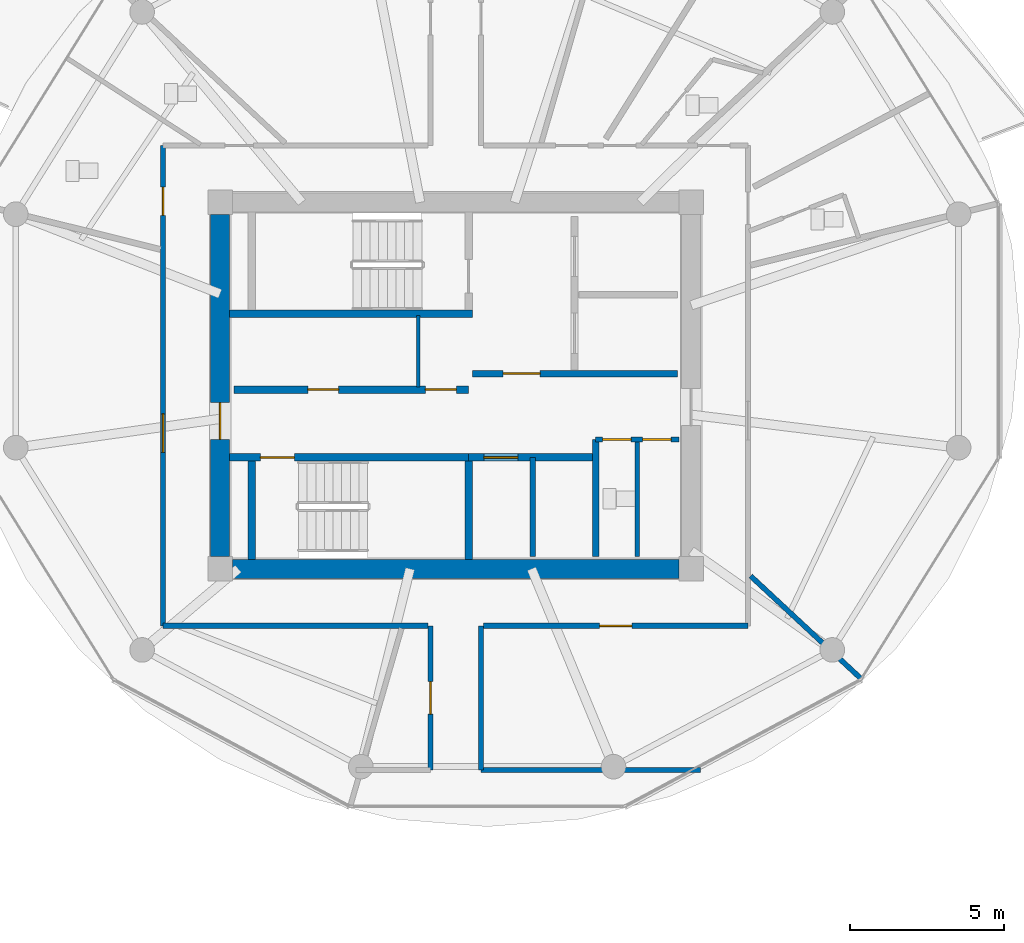
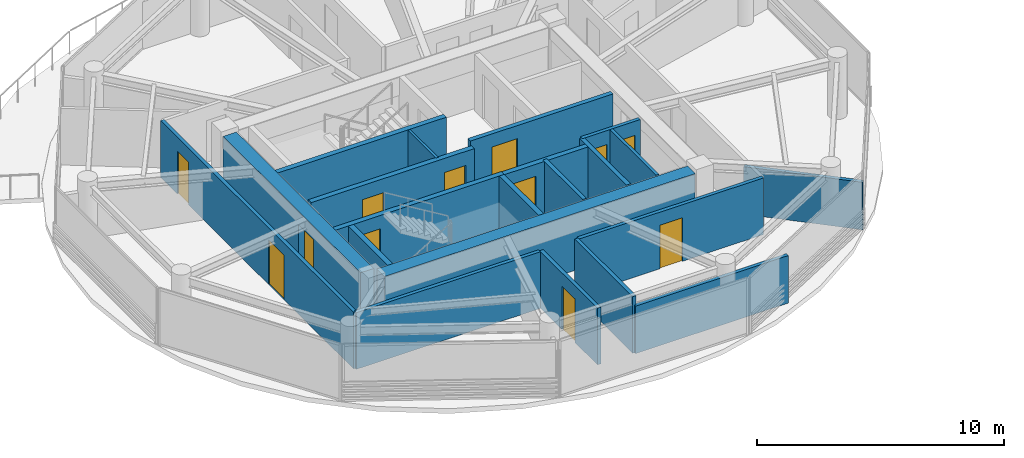
# One storey, part 12 of 21: 21 walls, 12 doors, 12 openings.
"""IFC4 building model written with IfcOpenShell, lengths in metres."""

import ifcopenshell
import ifcopenshell.guid

model = None  # the IFC model being written
_history = None  # IfcOwnerHistory: only IFC2X3 demands one
_inside = {}  # id of a spatial element -> (the spatial element, [elements in it])
_under = {}  # id of a project, library or spatial element -> (it, [spatial elements below it])
_declared = {}  # id of a project -> (the project, [libraries it declares])
_typed = {}  # id of a type object -> (the type object, [elements of that type])
_made_of = {}  # id of a material, layer set ... -> (it, [elements and type objects made of it])


def new_model(schema):
    """Start an empty IFC model of exactly this schema.

    Asked for "IFC4X3", IfcOpenShell would pick the latest addendum, in which some entities
    have other attributes; the version numbers below select the first issue.
    IFC2X3 requires an IfcOwnerHistory on every rooted entity: one is made here for all.
    """
    global model, _history
    if schema == "IFC4X3":
        model = ifcopenshell.file(schema_version=(4, 3, 0, 0))
    else:
        model = ifcopenshell.file(schema=schema)
    _inside.clear()
    _under.clear()
    _declared.clear()
    _typed.clear()
    _made_of.clear()
    _history = None
    if model.schema == "IFC2X3":
        org = make("IfcOrganization", Name="unknown")
        user = make(
            "IfcPersonAndOrganization",
            ThePerson=make("IfcPerson", FamilyName="unknown"),
            TheOrganization=org,
        )
        app = make(
            "IfcApplication",
            ApplicationDeveloper=org,
            Version="unknown",
            ApplicationFullName="unknown",
            ApplicationIdentifier="unknown",
        )
        _history = make(
            "IfcOwnerHistory",
            OwningUser=user,
            OwningApplication=app,
            ChangeAction="ADDED",
            CreationDate=0,
        )
    return model


def make(cls, **values):
    """One entity of the class cls with the attributes given. An attribute that is None is left unset."""
    return model.create_entity(
        cls, **{name: value for name, value in values.items() if value is not None}
    )


def rooted(cls, **values):
    """An entity with a GlobalId (a new one), such as an element, a storey or a relation."""
    return make(cls, GlobalId=ifcopenshell.guid.new(), OwnerHistory=_history, **values)


def si_unit(unit_type, name, prefix=None):
    """IfcSIUnit, for example si_unit("LENGTHUNIT", "METRE", prefix="MILLI")."""
    return make("IfcSIUnit", UnitType=unit_type, Prefix=prefix, Name=name)


def assignment(units):
    """IfcUnitAssignment: the units of a project."""
    return None if units is None else make("IfcUnitAssignment", Units=units)


def point(xyz):
    """IfcCartesianPoint."""
    return None if xyz is None else make("IfcCartesianPoint", Coordinates=xyz)


def direction(xyz):
    """IfcDirection."""
    return None if xyz is None else make("IfcDirection", DirectionRatios=xyz)


def frame(location, z_axis=None, x_axis=None):
    """IfcAxis2Placement3D, a coordinate frame: its origin and axes. An axis left out is left unset."""
    return make(
        "IfcAxis2Placement3D",
        Location=point(location),
        Axis=direction(z_axis),
        RefDirection=direction(x_axis),
    )


def frame_2d(location, x_axis=None):
    """IfcAxis2Placement2D, a coordinate frame in the plane: its origin and x axis."""
    return make(
        "IfcAxis2Placement2D", Location=point(location), RefDirection=direction(x_axis)
    )


def origin():
    """The frame at (0, 0, 0) with its axes left unset."""
    return frame((0.0, 0.0, 0.0))


def place(relative_to, where):
    """IfcLocalPlacement: puts the frame where relative to a parent placement (None: the world)."""
    return make(
        "IfcLocalPlacement", PlacementRelTo=relative_to, RelativePlacement=where
    )


def context(
    kind, dimensions, precision=None, world=None, true_north=None, identifier=None
):
    """IfcGeometricRepresentationContext, for example the 3D "Model" context."""
    return make(
        "IfcGeometricRepresentationContext",
        ContextIdentifier=identifier,
        ContextType=kind,
        CoordinateSpaceDimension=dimensions,
        Precision=precision,
        WorldCoordinateSystem=world,
        TrueNorth=true_north,
    )


def subcontext(parent, identifier, kind, view, scale=None):
    """IfcGeometricRepresentationSubContext, for example "Body" below "Model"."""
    return make(
        "IfcGeometricRepresentationSubContext",
        ContextIdentifier=identifier,
        ContextType=kind,
        ParentContext=parent,
        TargetScale=scale,
        TargetView=view,
    )


def project(units=None, contexts=None):
    """IfcProject with its units and contexts."""
    return rooted(
        "IfcProject",
        Name="project",
        RepresentationContexts=contexts,
        UnitsInContext=assignment(units),
    )


def spatial(cls, under=None, at=None, **own):
    """A site, building, storey or space (cls), placed at a placement, below another one or the project."""
    s = rooted(cls, ObjectPlacement=at, **own)
    if under is not None:
        _under.setdefault(under.id(), (under, []))[1].append(s)
    return s


def profile(cls, at=None, kind="AREA", **sizes):
    """A parametric profile (cls). Its sizes go by their IFC names, for example OverallWidth=200.0."""
    return make(cls, ProfileType=kind, Position=at, **sizes)


def rectangle(**sizes):
    """IfcRectangleProfileDef."""
    return profile("IfcRectangleProfileDef", **sizes)


def extrude(swept, where, along, depth):
    """IfcExtrudedAreaSolid: the profile swept, set in the frame where, extruded along a direction by depth."""
    return make(
        "IfcExtrudedAreaSolid",
        SweptArea=swept,
        Position=where,
        ExtrudedDirection=direction(along),
        Depth=depth,
    )


def shape(context_of_items, identifier, shape_type, items):
    """IfcShapeRepresentation: the items that make up one representation, for example the "Body"."""
    return make(
        "IfcShapeRepresentation",
        ContextOfItems=context_of_items,
        RepresentationIdentifier=identifier,
        RepresentationType=shape_type,
        Items=items,
    )


def source(mapping_origin, context_of_items, identifier, shape_type, items):
    """IfcRepresentationMap: a shape defined once, which mapped items show again and again."""
    return make(
        "IfcRepresentationMap",
        MappingOrigin=mapping_origin,
        MappedRepresentation=shape(context_of_items, identifier, shape_type, items),
    )


def transform(
    local_origin,
    x_axis=None,
    y_axis=None,
    z_axis=None,
    scale=None,
    scale2=None,
    scale3=None,
    uniform=True,
):
    """IfcCartesianTransformationOperator3D, or its non-uniform kind. x_axis, y_axis, z_axis: its Axis1, 2, 3."""
    if uniform:
        return make(
            "IfcCartesianTransformationOperator3D",
            Axis1=direction(x_axis),
            Axis2=direction(y_axis),
            LocalOrigin=point(local_origin),
            Scale=scale,
            Axis3=direction(z_axis),
        )
    return make(
        "IfcCartesianTransformationOperator3DnonUniform",
        Axis1=direction(x_axis),
        Axis2=direction(y_axis),
        LocalOrigin=point(local_origin),
        Scale=scale,
        Axis3=direction(z_axis),
        Scale2=scale2,
        Scale3=scale3,
    )


def mapped(mapping_source, mapping_target):
    """IfcMappedItem: shows the shape of a source again, moved by a transform."""
    return make(
        "IfcMappedItem", MappingSource=mapping_source, MappingTarget=mapping_target
    )


def material(Name=None, Category=None):
    """IfcMaterial."""
    return make("IfcMaterial", Name=Name, Category=Category)


def layer(
    of_material, thickness, ventilated=None, Name=None, Category=None, Priority=None
):
    """IfcMaterialLayer: one layer of a wall or slab, of a material (None: an air gap)."""
    return make(
        "IfcMaterialLayer",
        Material=of_material,
        LayerThickness=thickness,
        IsVentilated=ventilated,
        Name=Name,
        Category=Category,
        Priority=Priority,
    )


def layer_set(layers, Name=None):
    """IfcMaterialLayerSet."""
    return make("IfcMaterialLayerSet", MaterialLayers=layers, LayerSetName=Name)


def made_of(thing, what):
    """Note that an element or type object is made of a material, layer set ...; save() writes the relation."""
    if what is not None:
        _made_of.setdefault(what.id(), (what, []))[1].append(thing)
    return thing


def type_object(cls, material=None, **own):
    """A type object (cls), such as IfcWallType, which elements share."""
    return made_of(rooted(cls, **own), material)


def type_shapes(of_type, sources):
    """Give a type object the sources (RepresentationMaps) that its elements show as mapped items."""
    of_type.RepresentationMaps = sources


def element(
    cls,
    number,
    at=None,
    inside=None,
    cuts=None,
    type_object=None,
    material=None,
    context=None,
    identifier="Body",
    shape_type=None,
    held_by="IfcProductDefinitionShape",
    body=None,
    shapes=None,
    **own,
):
    """One element of the class cls, such as IfcWall. Its Tag is "e" and its number.

    at: its placement. inside: the storey or other place that contains it. cuts: it is an
    opening in that element (IfcRelVoidsElement). A single representation is given by context,
    identifier, shape_type and body (its items); several are given by shapes. held_by: the class
    of the entity that holds the representations. save() writes the other relations.
    """
    e = rooted(cls, Tag="e%d" % number, ObjectPlacement=at, **own)
    if body is not None:
        shapes = [shape(context, identifier, shape_type, body)]
    if shapes is not None:
        e.Representation = make(held_by, Representations=shapes)
    if inside is not None:
        _inside.setdefault(inside.id(), (inside, []))[1].append(e)
    if cuts is not None:
        rooted(
            "IfcRelVoidsElement", RelatingBuildingElement=cuts, RelatedOpeningElement=e
        )
    if type_object is not None:
        _typed.setdefault(type_object.id(), (type_object, []))[1].append(e)
    return made_of(e, material)


def fill(opening, filler):
    """IfcRelFillsElement: the door or window that sits in an opening."""
    return rooted(
        "IfcRelFillsElement",
        RelatingOpeningElement=opening,
        RelatedBuildingElement=filler,
    )


def aggregate(whole, parts):
    """IfcRelAggregates: a whole, such as a stair, and the parts it consists of."""
    return rooted("IfcRelAggregates", RelatingObject=whole, RelatedObjects=parts)


def save(model, path):
    """Write the relations noted so far, then the file.

    IfcRelAggregates (storeys below a building ...), IfcRelContainedInSpatialStructure (elements
    in a storey), IfcRelDefinesByType, IfcRelAssociatesMaterial and IfcRelDeclares: one each for
    every whole, place, type object, material and project.
    """
    for whole, parts in _under.values():
        aggregate(whole, parts)
    for where, things in _inside.values():
        rooted(
            "IfcRelContainedInSpatialStructure",
            RelatedElements=things,
            RelatingStructure=where,
        )
    for kind, things in _typed.values():
        rooted("IfcRelDefinesByType", RelatedObjects=things, RelatingType=kind)
    for what, things in _made_of.values():
        rooted("IfcRelAssociatesMaterial", RelatedObjects=things, RelatingMaterial=what)
    for by, libraries in _declared.values():
        rooted("IfcRelDeclares", RelatingContext=by, RelatedDefinitions=libraries)
    model.write(path)


model = new_model("IFC4")

# Units and contexts
model_context = context("Model", 3, precision=1e-05, world=origin(), true_north=direction((0.0, 1.0)))
body_context = subcontext(model_context, "Body", "Model", "MODEL_VIEW")
ifc_project = project(units=[si_unit("LENGTHUNIT", "METRE"), si_unit("AREAUNIT", "SQUARE_METRE"), si_unit("VOLUMEUNIT", "CUBIC_METRE"), si_unit("PLANEANGLEUNIT", "RADIAN"), si_unit("MASSUNIT", "GRAM", prefix="KILO")], contexts=[model_context])

# Site, building, storey
site_placement = place(None, origin())
site = spatial("IfcSite", under=ifc_project, at=site_placement, CompositionType="ELEMENT")
building_placement = place(site_placement, origin())
building = spatial("IfcBuilding", under=site, at=building_placement, Name="Norrkilde Senior Care Towers", CompositionType="ELEMENT")
storey_placement = place(building_placement, frame((0.0, 0.0, 146.5)))
storey = spatial("IfcBuildingStorey", under=building, at=storey_placement, Name="L45", CompositionType="ELEMENT", Elevation=146.5)

# Wall
ifc_material_1 = material(Name="Concrete C50/60", Category="concrete")
ifc_layer_1 = layer(ifc_material_1, 0.6201171875)
ifc_layer_set_1 = layer_set([ifc_layer_1], Name="Concrete C50/60")
wall_type_1 = type_object("IfcWallType", Name="Core Shear Wall Z3 620", PredefinedType="SHEAR", material=ifc_layer_set_1)
shared_shape_1 = source(origin(), body_context, "Body", "SweptSolid", [
    extrude(rectangle(XDim=14.5, YDim=0.6201171875, at=frame_2d((7.25, 0.0))), origin(), (0.0, 0.0, 1.0), 2.81005859375),
])
wall_1_placement = place(storey_placement, frame((-20.75, -5.949951171875, 0.0), z_axis=(0.0, 0.0, 1.0), x_axis=(-1.0, 0.0, 0.0)))
element("IfcWall", 1, at=wall_1_placement, inside=storey, type_object=wall_type_1, Name="L45 Core W South Shear Wall", PredefinedType="SHEAR", context=body_context, shape_type="MappedRepresentation", body=[
    mapped(shared_shape_1, transform((0.0, 0.0, 0.0), x_axis=(1.0, 0.0, 0.0), y_axis=(0.0, 1.0, 0.0), z_axis=(0.0, 0.0, 1.0), scale=1.0)),
])

# Wall, opening, door
shared_shape_2 = source(origin(), body_context, "Body", "SweptSolid", [
    extrude(rectangle(XDim=11.10009765625, YDim=0.6201171875, at=frame_2d((5.550048828125, 0.0))), origin(), (0.0, 0.0, 1.0), 2.81005859375),
])
type_shapes(wall_type_1, [shared_shape_1, shared_shape_2])
wall_2_placement = place(storey_placement, frame((-35.64990234375, -5.550048828125, 0.0), z_axis=(0.0, 0.0, 1.0), x_axis=(0.0, 1.0, 0.0)))
wall_2 = element("IfcWall", 2, at=wall_2_placement, inside=storey, type_object=wall_type_1, Name="L45 Core W West Shear Wall", PredefinedType="SHEAR", context=body_context, shape_type="MappedRepresentation", body=[
    mapped(shared_shape_2, transform((0.0, 0.0, 0.0), x_axis=(1.0, 0.0, 0.0), y_axis=(0.0, 1.0, 0.0), z_axis=(0.0, 0.0, 1.0), scale=1.0)),
])
opening_1_placement = place(wall_2_placement, frame((3.800048828125, 0.0, 0.0)))
opening_1 = element("IfcOpeningElement", 3, at=opening_1_placement, cuts=wall_2, Name="Opening D-04", PredefinedType="OPENING", context=body_context, shape_type="SweptSolid", body=[
    extrude(rectangle(XDim=1.199951171875, YDim=2.14990234375, at=frame_2d((0.60009765625, 1.074951171875))), frame((0.0, 0.320068359375, 0.0), z_axis=(0.0, -1.0, 0.0), x_axis=(1.0, 0.0, 0.0)), (0.0, 0.0, 1.0), 0.64013671875),
])
ifc_material_2 = material(Name="Galvanised Painted Steel", Category="steel")
door_type_1 = type_object("IfcDoorType", Name="Firefighting Lobby Fire Door 1200x2150", OperationType="NOTDEFINED", PredefinedType="DOOR", material=ifc_material_2)
shared_shape_3 = source(origin(), body_context, "Body", "SweptSolid", [
    extrude(rectangle(XDim=1.199951171875, YDim=2.14990234375, at=frame_2d((0.60009765625, 1.074951171875))), frame((0.0, 0.02490234375, 0.0), z_axis=(0.0, -1.0, 0.0), x_axis=(1.0, 0.0, 0.0)), (0.0, 0.0, 1.0), 0.050048828125),
])
type_shapes(door_type_1, [shared_shape_3])
door_1_placement = place(opening_1_placement, frame((1.199951171875, 0.0, 0.0), z_axis=(0.0, 0.0, 1.0), x_axis=(-1.0, 0.0, 0.0)))
door_1 = element("IfcDoor", 4, at=door_1_placement, inside=storey, type_object=door_type_1, Name="L45 Core W West Portal Door", OperationType="SINGLE_SWING_LEFT", OverallHeight=2.14990234375, OverallWidth=1.199951171875, PredefinedType="DOOR", context=body_context, shape_type="MappedRepresentation", body=[
    mapped(shared_shape_3, transform((0.0, 0.0, 0.0), x_axis=(1.0, 0.0, 0.0), y_axis=(0.0, 1.0, 0.0), z_axis=(0.0, 0.0, 1.0), scale=1.0)),
])
fill(opening_1, door_1)

# Wall
ifc_material_3 = material(Name="Concrete C45/55", Category="concrete")
ifc_layer_2 = layer(ifc_material_3, 0.239990234375)
ifc_layer_set_2 = layer_set([ifc_layer_2], Name="Concrete C45/55")
wall_type_2 = type_object("IfcWallType", Name="Shaft and Stair Enclosure Wall 240", PredefinedType="PARTITIONING", material=ifc_layer_set_2)
shared_shape_4 = source(origin(), body_context, "Body", "SweptSolid", [
    extrude(rectangle(XDim=7.880126953125, YDim=0.239990234375, at=frame_2d((3.93994140625, 0.0))), origin(), (0.0, 0.0, 1.0), 2.81005859375),
])
wall_3_placement = place(storey_placement, frame((-35.340087890625, 2.330078125, 0.0), z_axis=(0.0, 0.0, 1.0), x_axis=(1.0, 0.0, 0.0)))
element("IfcWall", 5, at=wall_3_placement, inside=storey, type_object=wall_type_2, Name="WL-INT-L45-W-ST1S", PredefinedType="PARTITIONING", context=body_context, shape_type="MappedRepresentation", body=[
    mapped(shared_shape_4, transform((0.0, 0.0, 0.0), x_axis=(1.0, 0.0, 0.0), y_axis=(0.0, 1.0, 0.0), z_axis=(0.0, 0.0, 1.0), scale=1.0)),
])

# Wall, opening, door
wall_4_placement = place(storey_placement, frame((-35.340087890625, -2.330078125, 0.0), z_axis=(0.0, 0.0, 1.0), x_axis=(1.0, 0.0, 0.0)))
wall_4 = element("IfcWall", 6, at=wall_4_placement, inside=storey, type_object=wall_type_2, Name="WL-INT-L45-W-ST2N", PredefinedType="PARTITIONING", context=body_context, shape_type="MappedRepresentation", body=[
    mapped(shared_shape_4, transform((0.0, 0.0, 0.0), x_axis=(1.0, 0.0, 0.0), y_axis=(0.0, 1.0, 0.0), z_axis=(0.0, 0.0, 1.0), scale=1.0)),
])
opening_2_placement = place(wall_4_placement, frame((1.0, 0.0, 0.0)))
opening_2 = element("IfcOpeningElement", 7, at=opening_2_placement, cuts=wall_4, Name="Opening D-03", PredefinedType="OPENING", context=body_context, shape_type="SweptSolid", body=[
    extrude(rectangle(XDim=1.10009765625, YDim=2.14990234375, at=frame_2d((0.550048828125, 1.074951171875))), frame((0.0, 0.1298828125, 0.0), z_axis=(0.0, -1.0, 0.0), x_axis=(1.0, 0.0, 0.0)), (0.0, 0.0, 1.0), 0.260009765625),
])
door_type_2 = type_object("IfcDoorType", Name="Stairwell Protected Fire Door 1100x2150", OperationType="NOTDEFINED", PredefinedType="DOOR", material=ifc_material_2)
shared_shape_5 = source(origin(), body_context, "Body", "SweptSolid", [
    extrude(rectangle(XDim=1.10009765625, YDim=2.14990234375, at=frame_2d((0.550048828125, 1.074951171875))), frame((0.0, 0.02490234375, 0.0), z_axis=(0.0, -1.0, 0.0), x_axis=(1.0, 0.0, 0.0)), (0.0, 0.0, 1.0), 0.050048828125),
])
type_shapes(door_type_2, [shared_shape_5])
door_2_placement = place(opening_2_placement, frame((1.10009765625, 0.0, 0.0), z_axis=(0.0, 0.0, 1.0), x_axis=(-1.0, 0.0, 0.0)))
door_2 = element("IfcDoor", 8, at=door_2_placement, inside=storey, type_object=door_type_2, Name="L45 Stair W2 Fire Door", OperationType="SINGLE_SWING_RIGHT", OverallHeight=2.14990234375, OverallWidth=1.10009765625, PredefinedType="DOOR", context=body_context, shape_type="MappedRepresentation", body=[
    mapped(shared_shape_5, transform((0.0, 0.0, 0.0), x_axis=(1.0, 0.0, 0.0), y_axis=(0.0, 1.0, 0.0), z_axis=(0.0, 0.0, 1.0), scale=1.0)),
])
fill(opening_2, door_2)

# Walls
shared_shape_6 = source(origin(), body_context, "Body", "SweptSolid", [
    extrude(rectangle(XDim=3.18994140625, YDim=0.239990234375, at=frame_2d((1.594970703125, 0.0))), origin(), (0.0, 0.0, 1.0), 2.81005859375),
])
type_shapes(wall_type_2, [shared_shape_4, shared_shape_6])
for number, where, z_axis, x_axis, name in (
    (9, (-34.6201171875, -5.639892578125, 0.0), (0.0, 0.0, 1.0), (0.0, 1.0, 0.0), "WL-INT-L45-W-ST2W"),
    (10, (-27.580078125, -5.639892578125, 0.0), (0.0, 0.0, 1.0), (0.0, 1.0, 0.0), "WL-INT-L45-W-ST2E"),
):
    element("IfcWall", number, at=place(storey_placement, frame(where, z_axis=z_axis, x_axis=x_axis)), inside=storey, type_object=wall_type_2, Name=name, PredefinedType="PARTITIONING", context=body_context, shape_type="MappedRepresentation", body=[
        mapped(shared_shape_6, transform((0.0, 0.0, 0.0), x_axis=(1.0, 0.0, 0.0), y_axis=(0.0, 1.0, 0.0), z_axis=(0.0, 0.0, 1.0), scale=1.0)),
    ])

# Wall, opening, door
ifc_layer_3 = layer(ifc_material_3, 0.2099609375)
ifc_layer_set_3 = layer_set([ifc_layer_3], Name="Concrete C45/55")
wall_type_3 = type_object("IfcWallType", Name="Firefighting Lobby Wall 210", PredefinedType="PARTITIONING", material=ifc_layer_set_3)
shared_shape_7 = source(origin(), body_context, "Body", "SweptSolid", [
    extrude(rectangle(XDim=6.659912109375, YDim=0.2099609375, at=frame_2d((3.330078125, 0.0))), origin(), (0.0, 0.0, 1.0), 2.794921875),
])
type_shapes(wall_type_3, [shared_shape_7])
wall_5_placement = place(storey_placement, frame((-27.4599609375, 0.389892578125, 0.0), z_axis=(0.0, 0.0, 1.0), x_axis=(1.0, 0.0, 0.0)))
wall_5 = element("IfcWall", 11, at=wall_5_placement, inside=storey, type_object=wall_type_3, Name="WL-INT-L45-W-FFLS", PredefinedType="PARTITIONING", context=body_context, shape_type="MappedRepresentation", body=[
    mapped(shared_shape_7, transform((0.0, 0.0, 0.0), x_axis=(1.0, 0.0, 0.0), y_axis=(0.0, 1.0, 0.0), z_axis=(0.0, 0.0, 1.0), scale=1.0)),
])
opening_3_placement = place(wall_5_placement, frame((1.0, 0.0, 0.0)))
opening_3 = element("IfcOpeningElement", 12, at=opening_3_placement, cuts=wall_5, Name="Opening D-04", PredefinedType="OPENING", context=body_context, shape_type="SweptSolid", body=[
    extrude(rectangle(XDim=1.199951171875, YDim=2.14990234375, at=frame_2d((0.60009765625, 1.074951171875))), frame((0.0, 0.114990234375, 0.0), z_axis=(0.0, -1.0, 0.0), x_axis=(1.0, 0.0, 0.0)), (0.0, 0.0, 1.0), 0.22998046875),
])
door_3_placement = place(opening_3_placement, frame((1.199951171875, 0.0, 0.0), z_axis=(0.0, 0.0, 1.0), x_axis=(-1.0, 0.0, 0.0)))
door_3 = element("IfcDoor", 13, at=door_3_placement, inside=storey, type_object=door_type_1, Name="L45 Firefighting Lobby W Door", OperationType="SINGLE_SWING_LEFT", OverallHeight=2.14990234375, OverallWidth=1.199951171875, PredefinedType="DOOR", context=body_context, shape_type="MappedRepresentation", body=[
    mapped(shared_shape_3, transform((0.0, 0.0, 0.0), x_axis=(1.0, 0.0, 0.0), y_axis=(0.0, 1.0, 0.0), z_axis=(0.0, 0.0, 1.0), scale=1.0)),
])
fill(opening_3, door_3)

# Wall, openings, doors
ifc_layer_4 = layer(ifc_material_3, 0.239990234375)
ifc_layer_set_4 = layer_set([ifc_layer_4], Name="Concrete C45/55")
wall_type_4 = type_object("IfcWallType", Name="Lift and Plant Rated Enclosure Partition 240", PredefinedType="PARTITIONING", material=ifc_layer_set_4)
shared_shape_8 = source(origin(), body_context, "Body", "SweptSolid", [
    extrude(rectangle(XDim=7.619873046875, YDim=0.239990234375, at=frame_2d((3.81005859375, 0.0))), origin(), (0.0, 0.0, 1.0), 2.794921875),
])
wall_6_placement = place(storey_placement, frame((-35.199951171875, -0.1298828125, 0.0), z_axis=(0.0, 0.0, 1.0), x_axis=(1.0, 0.0, 0.0)))
wall_6 = element("IfcWall", 14, at=wall_6_placement, inside=storey, type_object=wall_type_4, Name="WL-INT-L45-W-PKAS", PredefinedType="PARTITIONING", context=body_context, shape_type="MappedRepresentation", body=[
    mapped(shared_shape_8, transform((0.0, 0.0, 0.0), x_axis=(1.0, 0.0, 0.0), y_axis=(0.0, 1.0, 0.0), z_axis=(0.0, 0.0, 1.0), scale=1.0)),
])
opening_4_placement = place(wall_6_placement, frame((6.219970703125, 0.0, 0.0)))
opening_4 = element("IfcOpeningElement", 15, at=opening_4_placement, cuts=wall_6, Name="Opening D-10", PredefinedType="OPENING", context=body_context, shape_type="SweptSolid", body=[
    extrude(rectangle(XDim=1.0, YDim=2.10009765625, at=frame_2d((0.5, 1.050048828125))), frame((0.0, 0.1298828125, 0.0), z_axis=(0.0, -1.0, 0.0), x_axis=(1.0, 0.0, 0.0)), (0.0, 0.0, 1.0), 0.260009765625),
])
opening_5_placement = place(wall_6_placement, frame((2.39990234375, 0.0, 0.0)))
opening_5 = element("IfcOpeningElement", 16, at=opening_5_placement, cuts=wall_6, Name="Opening D-10", PredefinedType="OPENING", context=body_context, shape_type="SweptSolid", body=[
    extrude(rectangle(XDim=1.0, YDim=2.10009765625, at=frame_2d((0.5, 1.050048828125))), frame((0.0, 0.1298828125, 0.0), z_axis=(0.0, -1.0, 0.0), x_axis=(1.0, 0.0, 0.0)), (0.0, 0.0, 1.0), 0.260009765625),
])
door_type_3 = type_object("IfcDoorType", Name="Plant and Riser Rated Door 1000x2100", OperationType="NOTDEFINED", PredefinedType="DOOR", material=ifc_material_2)
shared_shape_9 = source(origin(), body_context, "Body", "SweptSolid", [
    extrude(rectangle(XDim=1.0, YDim=2.10009765625, at=frame_2d((0.5, 1.050048828125))), frame((0.0, 0.02490234375, 0.0), z_axis=(0.0, -1.0, 0.0), x_axis=(1.0, 0.0, 0.0)), (0.0, 0.0, 1.0), 0.050048828125),
])
type_shapes(door_type_3, [shared_shape_9])
door_4_placement = place(opening_4_placement, frame((1.0, 0.0, 0.0), z_axis=(0.0, 0.0, 1.0), x_axis=(-1.0, 0.0, 0.0)))
door_4 = element("IfcDoor", 17, at=door_4_placement, inside=storey, type_object=door_type_3, Name="L45 Electrical Riser W Door", OperationType="SINGLE_SWING_LEFT", OverallHeight=2.10009765625, OverallWidth=1.0, PredefinedType="DOOR", context=body_context, shape_type="MappedRepresentation", body=[
    mapped(shared_shape_9, transform((0.0, 0.0, 0.0), x_axis=(1.0, 0.0, 0.0), y_axis=(0.0, 1.0, 0.0), z_axis=(0.0, 0.0, 1.0), scale=1.0)),
])
fill(opening_4, door_4)
door_5_placement = place(opening_5_placement, frame((1.0, 0.0, 0.0), z_axis=(0.0, 0.0, 1.0), x_axis=(-1.0, 0.0, 0.0)))
door_5 = element("IfcDoor", 18, at=door_5_placement, inside=storey, type_object=door_type_3, Name="L45 Clean Supply Store W Door", OperationType="SINGLE_SWING_LEFT", OverallHeight=2.10009765625, OverallWidth=1.0, PredefinedType="DOOR", context=body_context, shape_type="MappedRepresentation", body=[
    mapped(shared_shape_9, transform((0.0, 0.0, 0.0), x_axis=(1.0, 0.0, 0.0), y_axis=(0.0, 1.0, 0.0), z_axis=(0.0, 0.0, 1.0), scale=1.0)),
])
fill(opening_5, door_5)

# Walls
ifc_material_4 = material(Name="Gypsum Acoustic Board")
ifc_layer_5 = layer(ifc_material_4, 0.114990234375)
ifc_layer_set_5 = layer_set([ifc_layer_5], Name="Gypsum Acoustic Board")
wall_type_5 = type_object("IfcWallType", Name="Internal Room Partition 115", PredefinedType="PARTITIONING", material=ifc_layer_set_5)
shared_shape_10 = source(origin(), body_context, "Body", "SweptSolid", [
    extrude(rectangle(XDim=2.330078125, YDim=0.114990234375, at=frame_2d((1.1650390625, 0.0))), origin(), (0.0, 0.0, 1.0), 2.794921875),
])
type_shapes(wall_type_5, [shared_shape_10])
wall_7_placement = place(storey_placement, frame((-29.2099609375, -0.050048828125, 0.0), z_axis=(0.0, 0.0, 1.0), x_axis=(0.0, 1.0, 0.0)))
element("IfcWall", 19, at=wall_7_placement, inside=storey, type_object=wall_type_5, Name="WL-INT-L45-W-RISW", PredefinedType="PARTITIONING", context=body_context, shape_type="MappedRepresentation", body=[
    mapped(shared_shape_10, transform((0.0, 0.0, 0.0), x_axis=(1.0, 0.0, 0.0), y_axis=(0.0, 1.0, 0.0), z_axis=(0.0, 0.0, 1.0), scale=1.0)),
])
ifc_layer_6 = layer(ifc_material_3, 0.199951171875)
ifc_layer_set_6 = layer_set([ifc_layer_6], Name="Concrete C45/55")
wall_type_6 = type_object("IfcWallType", Name="Shaft Division and Plant Partition 200", PredefinedType="PARTITIONING", material=ifc_layer_set_6)
shared_shape_11 = source(origin(), body_context, "Body", "SweptSolid", [
    extrude(rectangle(XDim=3.800048828125, YDim=0.199951171875, at=frame_2d((1.89990234375, 0.0))), origin(), (0.0, 0.0, 1.0), 2.794921875),
])
type_shapes(wall_type_6, [shared_shape_11])
wall_8_placement = place(storey_placement, frame((-23.449951171875, -5.550048828125, 0.0), z_axis=(0.0, 0.0, 1.0), x_axis=(0.0, 1.0, 0.0)))
element("IfcWall", 20, at=wall_8_placement, inside=storey, type_object=wall_type_6, Name="WL-INT-L45-W-PKBE", PredefinedType="PARTITIONING", context=body_context, shape_type="MappedRepresentation", body=[
    mapped(shared_shape_11, transform((0.0, 0.0, 0.0), x_axis=(1.0, 0.0, 0.0), y_axis=(0.0, 1.0, 0.0), z_axis=(0.0, 0.0, 1.0), scale=1.0)),
])

# Wall, opening, door
shared_shape_12 = source(origin(), body_context, "Body", "SweptSolid", [
    extrude(rectangle(XDim=4.130126953125, YDim=0.239990234375, at=frame_2d((2.06494140625, 0.0))), origin(), (0.0, 0.0, 1.0), 2.794921875),
])
type_shapes(wall_type_4, [shared_shape_8, shared_shape_12])
wall_9_placement = place(storey_placement, frame((-27.580078125, -2.330078125, 0.0), z_axis=(0.0, 0.0, 1.0), x_axis=(1.0, 0.0, 0.0)))
wall_9 = element("IfcWall", 21, at=wall_9_placement, inside=storey, type_object=wall_type_4, Name="WL-INT-L45-W-PKBN", PredefinedType="PARTITIONING", context=body_context, shape_type="MappedRepresentation", body=[
    mapped(shared_shape_12, transform((0.0, 0.0, 0.0), x_axis=(1.0, 0.0, 0.0), y_axis=(0.0, 1.0, 0.0), z_axis=(0.0, 0.0, 1.0), scale=1.0)),
])
opening_6_placement = place(wall_9_placement, frame((0.5, 0.0, 0.0)))
opening_6 = element("IfcOpeningElement", 22, at=opening_6_placement, cuts=wall_9, Name="Opening LD-01", PredefinedType="OPENING", context=body_context, shape_type="SweptSolid", body=[
    extrude(rectangle(XDim=1.10009765625, YDim=2.199951171875, at=frame_2d((0.550048828125, 1.10009765625))), frame((0.0, 0.1298828125, 0.0), z_axis=(0.0, -1.0, 0.0), x_axis=(1.0, 0.0, 0.0)), (0.0, 0.0, 1.0), 0.260009765625),
])
ifc_material_5 = material(Name="Stainless Steel", Category="steel")
door_type_4 = type_object("IfcDoorType", Name="Lift Landing Sliding Door 1100x2200", OperationType="NOTDEFINED", PredefinedType="DOOR", material=ifc_material_5)
shared_shape_13 = source(origin(), body_context, "Body", "SweptSolid", [
    extrude(rectangle(XDim=1.10009765625, YDim=2.199951171875, at=frame_2d((0.550048828125, 1.10009765625))), frame((0.0, 0.02490234375, 0.0), z_axis=(0.0, -1.0, 0.0), x_axis=(1.0, 0.0, 0.0)), (0.0, 0.0, 1.0), 0.050048828125),
])
type_shapes(door_type_4, [shared_shape_13])
door_6_placement = place(opening_6_placement, frame((1.10009765625, 0.0, 0.0), z_axis=(0.0, 0.0, 1.0), x_axis=(-1.0, 0.0, 0.0)))
door_6 = element("IfcDoor", 23, at=door_6_placement, inside=storey, type_object=door_type_4, Name="L45 Passenger Lift W3 Landing Door", OperationType="SLIDING_TO_LEFT", OverallHeight=2.199951171875, OverallWidth=1.10009765625, PredefinedType="DOOR", context=body_context, shape_type="MappedRepresentation", body=[
    mapped(shared_shape_13, transform((0.0, 0.0, 0.0), x_axis=(1.0, 0.0, 0.0), y_axis=(0.0, 1.0, 0.0), z_axis=(0.0, 0.0, 1.0), scale=1.0)),
])
fill(opening_6, door_6)

# Wall
ifc_layer_7 = layer(ifc_material_3, 0.179931640625)
ifc_layer_set_7 = layer_set([ifc_layer_7], Name="Concrete C45/55")
wall_type_7 = type_object("IfcWallType", Name="Hoistway Division Rated Partition 180", PredefinedType="PARTITIONING", material=ifc_layer_set_7)
shared_shape_14 = source(origin(), body_context, "Body", "SweptSolid", [
    extrude(rectangle(XDim=3.219970703125, YDim=0.179931640625, at=frame_2d((1.60986328125, 0.0))), origin(), (0.0, 0.0, 1.0), 2.794921875),
])
type_shapes(wall_type_7, [shared_shape_14])
wall_10_placement = place(storey_placement, frame((-25.5, -5.550048828125, 0.0), z_axis=(0.0, 0.0, 1.0), x_axis=(0.0, 1.0, 0.0)))
element("IfcWall", 24, at=wall_10_placement, inside=storey, type_object=wall_type_7, Name="WL-INT-L45-W-PL34", PredefinedType="PARTITIONING", context=body_context, shape_type="MappedRepresentation", body=[
    mapped(shared_shape_14, transform((0.0, 0.0, 0.0), x_axis=(1.0, 0.0, 0.0), y_axis=(0.0, 1.0, 0.0), z_axis=(0.0, 0.0, 1.0), scale=1.0)),
])

# Wall, openings, doors
ifc_layer_8 = layer(ifc_material_4, 0.1650390625)
ifc_layer_set_8 = layer_set([ifc_layer_8], Name="Gypsum Acoustic Board")
wall_type_8 = type_object("IfcWallType", Name="Corridor Rated Partition 165", PredefinedType="PARTITIONING", material=ifc_layer_set_8)
shared_shape_15 = source(origin(), body_context, "Body", "SweptSolid", [
    extrude(rectangle(XDim=2.699951171875, YDim=0.1650390625, at=frame_2d((1.35009765625, 0.0))), origin(), (0.0, 0.0, 1.0), 2.794921875),
])
wall_11_placement = place(storey_placement, frame((-23.449951171875, -1.75, 0.0), z_axis=(0.0, 0.0, 1.0), x_axis=(1.0, 0.0, 0.0)))
wall_11 = element("IfcWall", 25, at=wall_11_placement, inside=storey, type_object=wall_type_8, Name="WL-INT-L45-W-CSN", PredefinedType="PARTITIONING", context=body_context, shape_type="MappedRepresentation", body=[
    mapped(shared_shape_15, transform((0.0, 0.0, 0.0), x_axis=(1.0, 0.0, 0.0), y_axis=(0.0, 1.0, 0.0), z_axis=(0.0, 0.0, 1.0), scale=1.0)),
])
opening_7_placement = place(wall_11_placement, frame((0.222412109375, 0.0, 0.0)))
opening_7 = element("IfcOpeningElement", 26, at=opening_7_placement, cuts=wall_11, Name="Opening D-12", PredefinedType="OPENING", context=body_context, shape_type="SweptSolid", body=[
    extrude(rectangle(XDim=0.925048828125, YDim=2.10009765625, at=frame_2d((0.46240234375, 1.050048828125))), frame((0.0, 0.092529296875, 0.0), z_axis=(0.0, -1.0, 0.0), x_axis=(1.0, 0.0, 0.0)), (0.0, 0.0, 1.0), 0.18505859375),
])
opening_8_placement = place(wall_11_placement, frame((1.5224609375, 0.0, 0.0)))
opening_8 = element("IfcOpeningElement", 27, at=opening_8_placement, cuts=wall_11, Name="Opening D-12", PredefinedType="OPENING", context=body_context, shape_type="SweptSolid", body=[
    extrude(rectangle(XDim=0.925048828125, YDim=2.10009765625, at=frame_2d((0.46240234375, 1.050048828125))), frame((0.0, 0.092529296875, 0.0), z_axis=(0.0, -1.0, 0.0), x_axis=(1.0, 0.0, 0.0)), (0.0, 0.0, 1.0), 0.18505859375),
])
door_type_5 = type_object("IfcDoorType", Name="Core Wet Room Rated Door 925x2100", OperationType="NOTDEFINED", PredefinedType="DOOR", material=ifc_material_2)
shared_shape_16 = source(origin(), body_context, "Body", "SweptSolid", [
    extrude(rectangle(XDim=0.925048828125, YDim=2.10009765625, at=frame_2d((0.46240234375, 1.050048828125))), frame((0.0, 0.02490234375, 0.0), z_axis=(0.0, -1.0, 0.0), x_axis=(1.0, 0.0, 0.0)), (0.0, 0.0, 1.0), 0.050048828125),
])
type_shapes(door_type_5, [shared_shape_16])
door_7_placement = place(opening_7_placement, origin())
door_7 = element("IfcDoor", 28, at=door_7_placement, inside=storey, type_object=door_type_5, Name="L45 Staff Accessible WC W Door", OperationType="SINGLE_SWING_LEFT", OverallHeight=2.10009765625, OverallWidth=0.925048828125, PredefinedType="DOOR", context=body_context, shape_type="MappedRepresentation", body=[
    mapped(shared_shape_16, transform((0.0, 0.0, 0.0), x_axis=(1.0, 0.0, 0.0), y_axis=(0.0, 1.0, 0.0), z_axis=(0.0, 0.0, 1.0), scale=1.0)),
])
fill(opening_7, door_7)
door_8_placement = place(opening_8_placement, origin())
door_8 = element("IfcDoor", 29, at=door_8_placement, inside=storey, type_object=door_type_5, Name="L45 Housekeeping Store W Door", OperationType="SINGLE_SWING_RIGHT", OverallHeight=2.10009765625, OverallWidth=0.925048828125, PredefinedType="DOOR", context=body_context, shape_type="MappedRepresentation", body=[
    mapped(shared_shape_16, transform((0.0, 0.0, 0.0), x_axis=(1.0, 0.0, 0.0), y_axis=(0.0, 1.0, 0.0), z_axis=(0.0, 0.0, 1.0), scale=1.0)),
])
fill(opening_8, door_8)

# Wall, opening, door
shared_shape_17 = source(origin(), body_context, "Body", "SweptSolid", [
    extrude(rectangle(XDim=8.60009765625, YDim=0.1650390625, at=frame_2d((4.300048828125, 0.0))), origin(), (0.0, 0.0, 1.0), 2.794921875),
])
wall_12_placement = place(storey_placement, frame((-18.5, -7.800048828125, 0.0), z_axis=(0.0, 0.0, 1.0), x_axis=(-1.0, 0.0, 0.0)))
wall_12 = element("IfcWall", 30, at=wall_12_placement, inside=storey, type_object=wall_type_8, Name="WL-INT-L45-W-CRW-S-0", PredefinedType="PARTITIONING", context=body_context, shape_type="MappedRepresentation", body=[
    mapped(shared_shape_17, transform((0.0, 0.0, 0.0), x_axis=(1.0, 0.0, 0.0), y_axis=(0.0, 1.0, 0.0), z_axis=(0.0, 0.0, 1.0), scale=1.0)),
])
opening_9_placement = place(wall_12_placement, frame((3.77490234375, 0.0, 0.0)))
opening_9 = element("IfcOpeningElement", 31, at=opening_9_placement, cuts=wall_12, Name="Opening D-06", PredefinedType="OPENING", context=body_context, shape_type="SweptSolid", body=[
    extrude(rectangle(XDim=1.050048828125, YDim=2.14990234375, at=frame_2d((0.52490234375, 1.074951171875))), frame((0.0, 0.092529296875, 0.0), z_axis=(0.0, -1.0, 0.0), x_axis=(1.0, 0.0, 0.0)), (0.0, 0.0, 1.0), 0.18505859375),
])
ifc_material_6 = material(Name="Nordic Ash Timber", Category="wood")
door_type_6 = type_object("IfcDoorType", Name="Apartment Entrance Fire Door 1050x2150", OperationType="NOTDEFINED", PredefinedType="DOOR", material=ifc_material_6)
shared_shape_18 = source(origin(), body_context, "Body", "SweptSolid", [
    extrude(rectangle(XDim=1.050048828125, YDim=2.14990234375, at=frame_2d((0.52490234375, 1.074951171875))), frame((0.0, 0.02490234375, 0.0), z_axis=(0.0, -1.0, 0.0), x_axis=(1.0, 0.0, 0.0)), (0.0, 0.0, 1.0), 0.050048828125),
])
type_shapes(door_type_6, [shared_shape_18])
door_9_placement = place(opening_9_placement, frame((1.050048828125, 0.0, 0.0), z_axis=(0.0, 0.0, 1.0), x_axis=(-1.0, 0.0, 0.0)))
door_9 = element("IfcDoor", 32, at=door_9_placement, inside=storey, type_object=door_type_6, Name="L45 Reading Lounge SEL Door", OperationType="SINGLE_SWING_RIGHT", OverallHeight=2.14990234375, OverallWidth=1.050048828125, PredefinedType="DOOR", context=body_context, shape_type="MappedRepresentation", body=[
    mapped(shared_shape_18, transform((0.0, 0.0, 0.0), x_axis=(1.0, 0.0, 0.0), y_axis=(0.0, 1.0, 0.0), z_axis=(0.0, 0.0, 1.0), scale=1.0)),
])
fill(opening_9, door_9)

# Wall
wall_13_placement = place(storey_placement, frame((-28.89990234375, -7.800048828125, 0.0), z_axis=(0.0, 0.0, 1.0), x_axis=(-1.0, 0.0, 0.0)))
element("IfcWall", 33, at=wall_13_placement, inside=storey, type_object=wall_type_8, Name="WL-INT-L45-W-CRW-S-1", PredefinedType="PARTITIONING", context=body_context, shape_type="MappedRepresentation", body=[
    mapped(shared_shape_17, transform((0.0, 0.0, 0.0), x_axis=(1.0, 0.0, 0.0), y_axis=(0.0, 1.0, 0.0), z_axis=(0.0, 0.0, 1.0), scale=1.0)),
])

# Wall, openings, doors
shared_shape_19 = source(origin(), body_context, "Body", "SweptSolid", [
    extrude(rectangle(XDim=15.60009765625, YDim=0.1650390625, at=frame_2d((7.800048828125, 0.0))), origin(), (0.0, 0.0, 1.0), 2.794921875),
])
wall_14_placement = place(storey_placement, frame((-37.5, -7.800048828125, 0.0), z_axis=(0.0, 0.0, 1.0), x_axis=(0.0, 1.0, 0.0)))
wall_14 = element("IfcWall", 34, at=wall_14_placement, inside=storey, type_object=wall_type_8, Name="WL-INT-L45-W-CRW-W-0", PredefinedType="PARTITIONING", context=body_context, shape_type="MappedRepresentation", body=[
    mapped(shared_shape_19, transform((0.0, 0.0, 0.0), x_axis=(1.0, 0.0, 0.0), y_axis=(0.0, 1.0, 0.0), z_axis=(0.0, 0.0, 1.0), scale=1.0)),
])
opening_10_placement = place(wall_14_placement, frame((13.325439453125, 0.0, 0.0)))
opening_10 = element("IfcOpeningElement", 35, at=opening_10_placement, cuts=wall_14, Name="Opening D-08", PredefinedType="OPENING", context=body_context, shape_type="SweptSolid", body=[
    extrude(rectangle(XDim=0.919921875, YDim=2.10009765625, at=frame_2d((0.4599609375, 1.050048828125))), frame((0.0, 0.092529296875, 0.0), z_axis=(0.0, -1.0, 0.0), x_axis=(1.0, 0.0, 0.0)), (0.0, 0.0, 1.0), 0.18505859375),
])
opening_11_placement = place(wall_14_placement, frame((5.62841796875, 0.0, 0.0)))
opening_11 = element("IfcOpeningElement", 36, at=opening_11_placement, cuts=wall_14, Name="Opening D-05", PredefinedType="OPENING", context=body_context, shape_type="SweptSolid", body=[
    extrude(rectangle(XDim=1.25, YDim=2.199951171875, at=frame_2d((0.625, 1.10009765625))), frame((0.0, 0.092529296875, 0.0), z_axis=(0.0, -1.0, 0.0), x_axis=(1.0, 0.0, 0.0)), (0.0, 0.0, 1.0), 0.18505859375),
])
door_type_7 = type_object("IfcDoorType", Name="Care Bedroom Bariatric Door 1250x2200", OperationType="NOTDEFINED", PredefinedType="DOOR", material=ifc_material_6)
shared_shape_20 = source(origin(), body_context, "Body", "SweptSolid", [
    extrude(rectangle(XDim=1.25, YDim=2.199951171875, at=frame_2d((0.625, 1.10009765625))), frame((0.0, 0.02490234375, 0.0), z_axis=(0.0, -1.0, 0.0), x_axis=(1.0, 0.0, 0.0)), (0.0, 0.0, 1.0), 0.050048828125),
])
type_shapes(door_type_7, [shared_shape_20])
door_10_placement = place(opening_11_placement, frame((1.25, 0.0, 0.0), z_axis=(0.0, 0.0, 1.0), x_axis=(-1.0, 0.0, 0.0)))
door_10 = element("IfcDoor", 37, at=door_10_placement, inside=storey, type_object=door_type_7, Name="L45 Geriatric Rehabilitation Clinic Door", OperationType="SINGLE_SWING_RIGHT", OverallHeight=2.199951171875, OverallWidth=1.25, PredefinedType="DOOR", context=body_context, shape_type="MappedRepresentation", body=[
    mapped(shared_shape_20, transform((0.0, 0.0, 0.0), x_axis=(1.0, 0.0, 0.0), y_axis=(0.0, 1.0, 0.0), z_axis=(0.0, 0.0, 1.0), scale=1.0)),
])
fill(opening_11, door_10)
door_type_8 = type_object("IfcDoorType", Name="Accessible Wet Room Door 920x2100", OperationType="NOTDEFINED", PredefinedType="DOOR", material=ifc_material_6)
shared_shape_21 = source(origin(), body_context, "Body", "SweptSolid", [
    extrude(rectangle(XDim=0.919921875, YDim=2.10009765625, at=frame_2d((0.4599609375, 1.050048828125))), frame((0.0, 0.02490234375, 0.0), z_axis=(0.0, -1.0, 0.0), x_axis=(1.0, 0.0, 0.0)), (0.0, 0.0, 1.0), 0.050048828125),
])
type_shapes(door_type_8, [shared_shape_21])
door_11_placement = place(opening_10_placement, frame((0.919921875, 0.0, 0.0), z_axis=(0.0, 0.0, 1.0), x_axis=(-1.0, 0.0, 0.0)))
door_11 = element("IfcDoor", 38, at=door_11_placement, inside=storey, type_object=door_type_8, Name="L45 Public Restroom Door", OperationType="SINGLE_SWING_RIGHT", OverallHeight=2.10009765625, OverallWidth=0.919921875, PredefinedType="DOOR", context=body_context, shape_type="MappedRepresentation", body=[
    mapped(shared_shape_21, transform((0.0, 0.0, 0.0), x_axis=(1.0, 0.0, 0.0), y_axis=(0.0, 1.0, 0.0), z_axis=(0.0, 0.0, 1.0), scale=1.0)),
])
fill(opening_10, door_11)

# Wall
shared_shape_22 = source(origin(), body_context, "Body", "SweptSolid", [
    extrude(rectangle(XDim=4.926513671875, YDim=0.1650390625, at=frame_2d((2.46337890625, 0.0))), origin(), (0.0, 0.0, 1.0), 2.344970703125),
])
wall_15_placement = place(storey_placement, frame((-18.419921875, -6.182861328125, 0.0), z_axis=(0.0, 0.0, 1.0), x_axis=(0.732191335987, -0.681098999783, 0.0)))
element("IfcWall", 39, at=wall_15_placement, inside=storey, type_object=wall_type_8, Name="WL-INT-L45-W-DEM-10-0", PredefinedType="PARTITIONING", context=body_context, shape_type="MappedRepresentation", body=[
    mapped(shared_shape_22, transform((0.0, 0.0, 0.0), x_axis=(1.0, 0.0, 0.0), y_axis=(0.0, 1.0, 0.0), z_axis=(0.0, 0.0, 1.0), scale=1.0)),
])

# Wall, opening, door
shared_shape_23 = source(origin(), body_context, "Body", "SweptSolid", [
    extrude(rectangle(XDim=4.6845703125, YDim=0.1650390625, at=frame_2d((2.34228515625, 0.0))), origin(), (0.0, 0.0, 1.0), 2.794921875),
])
wall_16_placement = place(storey_placement, frame((-28.820068359375, -12.484619140625, 0.0), z_axis=(0.0, 0.0, 1.0), x_axis=(0.0, 1.0, 0.0)))
wall_16 = element("IfcWall", 40, at=wall_16_placement, inside=storey, type_object=wall_type_8, Name="WL-INT-L45-W-PKW-SWL", PredefinedType="PARTITIONING", context=body_context, shape_type="MappedRepresentation", body=[
    mapped(shared_shape_23, transform((0.0, 0.0, 0.0), x_axis=(1.0, 0.0, 0.0), y_axis=(0.0, 1.0, 0.0), z_axis=(0.0, 0.0, 1.0), scale=1.0)),
])
opening_12_placement = place(wall_16_placement, frame((1.8173828125, 0.0, 0.0)))
opening_12 = element("IfcOpeningElement", 41, at=opening_12_placement, cuts=wall_16, Name="Opening D-06", PredefinedType="OPENING", context=body_context, shape_type="SweptSolid", body=[
    extrude(rectangle(XDim=1.050048828125, YDim=2.14990234375, at=frame_2d((0.52490234375, 1.074951171875))), frame((0.0, 0.092529296875, 0.0), z_axis=(0.0, -1.0, 0.0), x_axis=(1.0, 0.0, 0.0)), (0.0, 0.0, 1.0), 0.18505859375),
])
door_12_placement = place(opening_12_placement, frame((1.050048828125, 0.0, 0.0), z_axis=(0.0, 0.0, 1.0), x_axis=(-1.0, 0.0, 0.0)))
door_12 = element("IfcDoor", 42, at=door_12_placement, inside=storey, type_object=door_type_6, Name="L45 Reading Lounge SWL Door", OperationType="SINGLE_SWING_RIGHT", OverallHeight=2.14990234375, OverallWidth=1.050048828125, PredefinedType="DOOR", context=body_context, shape_type="MappedRepresentation", body=[
    mapped(shared_shape_18, transform((0.0, 0.0, 0.0), x_axis=(1.0, 0.0, 0.0), y_axis=(0.0, 1.0, 0.0), z_axis=(0.0, 0.0, 1.0), scale=1.0)),
])
fill(opening_12, door_12)

# Walls
wall_17_placement = place(storey_placement, frame((-27.179931640625, -12.484619140625, 0.0), z_axis=(0.0, 0.0, 1.0), x_axis=(0.0, 1.0, 0.0)))
element("IfcWall", 43, at=wall_17_placement, inside=storey, type_object=wall_type_8, Name="WL-INT-L45-W-PKW-SEL", PredefinedType="PARTITIONING", context=body_context, shape_type="MappedRepresentation", body=[
    mapped(shared_shape_23, transform((0.0, 0.0, 0.0), x_axis=(1.0, 0.0, 0.0), y_axis=(0.0, 1.0, 0.0), z_axis=(0.0, 0.0, 1.0), scale=1.0)),
])
shared_shape_24 = source(origin(), body_context, "Body", "SweptSolid", [
    extrude(rectangle(XDim=7.138916015625, YDim=0.1650390625, at=frame_2d((3.5693359375, 0.0))), origin(), (0.0, 0.0, 1.0), 2.344970703125),
])
type_shapes(wall_type_8, [shared_shape_15, shared_shape_17, shared_shape_19, shared_shape_22, shared_shape_23, shared_shape_24])
wall_18_placement = place(storey_placement, frame((-27.179931640625, -12.484619140625, 0.0), z_axis=(0.0, 0.0, 1.0), x_axis=(1.0, 0.0, 0.0)))
element("IfcWall", 44, at=wall_18_placement, inside=storey, type_object=wall_type_8, Name="WL-INT-L45-W-PKH-SEL-0", PredefinedType="PARTITIONING", context=body_context, shape_type="MappedRepresentation", body=[
    mapped(shared_shape_24, transform((0.0, 0.0, 0.0), x_axis=(1.0, 0.0, 0.0), y_axis=(0.0, 1.0, 0.0), z_axis=(0.0, 0.0, 1.0), scale=1.0)),
])
ifc_layer_9 = layer(ifc_material_4, 0.139892578125)
ifc_layer_set_9 = layer_set([ifc_layer_9], Name="Gypsum Acoustic Board")
wall_type_9 = type_object("IfcWallType", Name="En-suite Wet Room Wall 140", PredefinedType="PARTITIONING", material=ifc_layer_set_9)
shared_shape_25 = source(origin(), body_context, "Body", "SweptSolid", [
    extrude(rectangle(XDim=3.800048828125, YDim=0.139892578125, at=frame_2d((1.89990234375, 0.0))), origin(), (0.0, 0.0, 1.0), 2.794921875),
])
type_shapes(wall_type_9, [shared_shape_25])
wall_19_placement = place(storey_placement, frame((-22.10009765625, -5.550048828125, 0.0), z_axis=(0.0, 0.0, 1.0), x_axis=(0.0, 1.0, 0.0)))
element("IfcWall", 45, at=wall_19_placement, inside=storey, type_object=wall_type_9, Name="WL-INT-L45-W-CS1V", PredefinedType="PARTITIONING", context=body_context, shape_type="MappedRepresentation", body=[
    mapped(shared_shape_25, transform((0.0, 0.0, 0.0), x_axis=(1.0, 0.0, 0.0), y_axis=(0.0, 1.0, 0.0), z_axis=(0.0, 0.0, 1.0), scale=1.0)),
])

save(model, "model.ifc")
